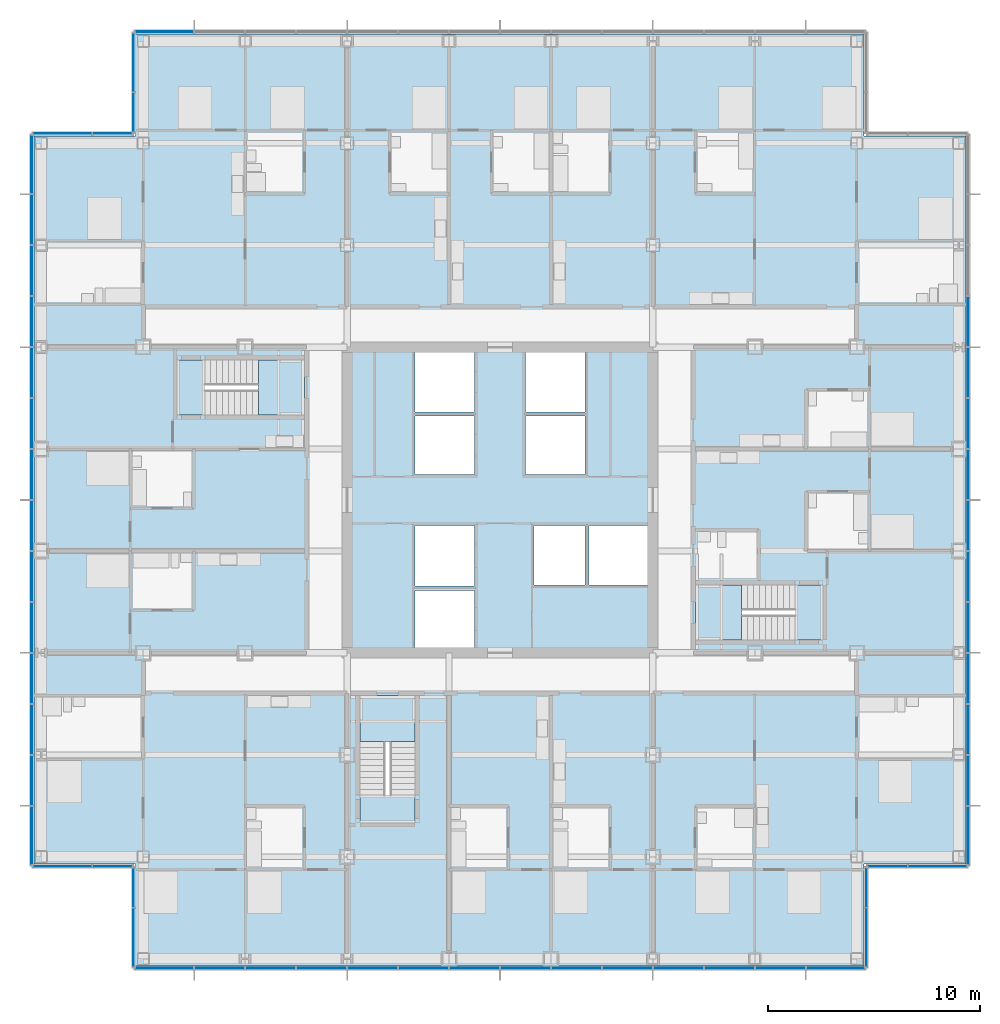
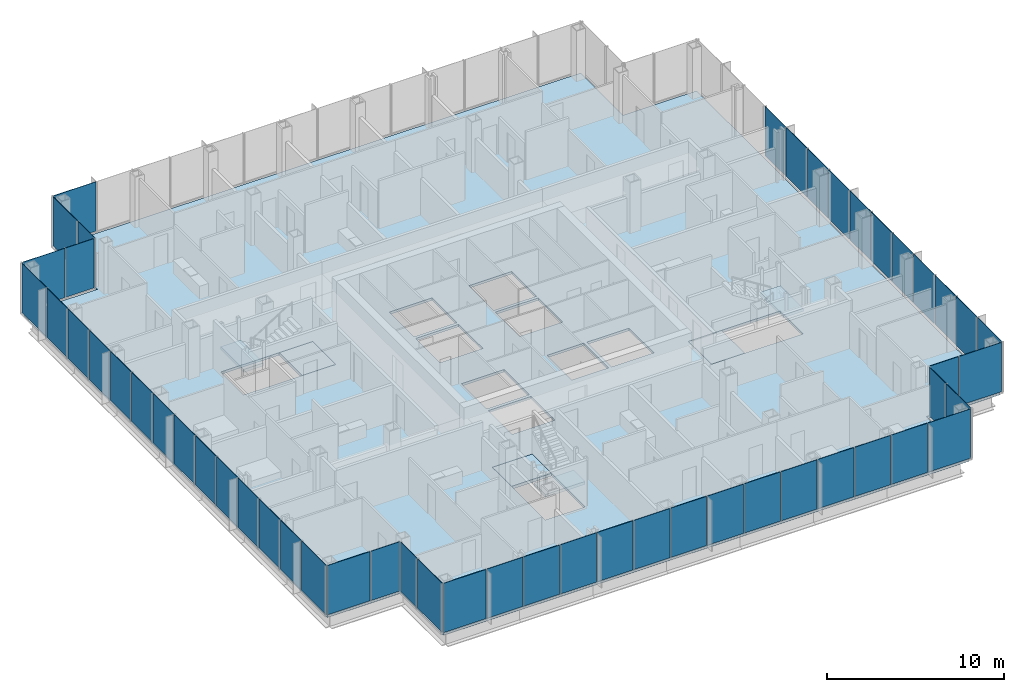
# One storey, part 12 of 21: 52 plates, 7 slabs, 13 elements without a shape of their own.
"""IFC4 building model written with IfcOpenShell, lengths in metres."""

from ifc_helpers import new_model, si_unit, direction, frame, origin, origin_2d, place, context, subcontext, project, spatial, polyline, rectangle, outline, extrude, material, layer, layer_set, type_object, element, aggregate, save


model = new_model("IFC4")

# Units and contexts
model_context = context("Model", 3, precision=1e-05, world=origin(), true_north=direction((0.0, 1.0)))
body_context = subcontext(model_context, "Body", "Model", "MODEL_VIEW")
ifc_project = project(units=[si_unit("LENGTHUNIT", "METRE"), si_unit("AREAUNIT", "SQUARE_METRE"), si_unit("VOLUMEUNIT", "CUBIC_METRE"), si_unit("PLANEANGLEUNIT", "RADIAN"), si_unit("MASSUNIT", "GRAM", prefix="KILO")], contexts=[model_context])

# Site, building, storey
site_placement = place(None, origin())
site = spatial("IfcSite", under=ifc_project, at=site_placement, CompositionType="ELEMENT")
building_placement = place(site_placement, origin())
building = spatial("IfcBuilding", under=site, at=building_placement, Name="Kvirike Care Tower", CompositionType="ELEMENT")
storey_placement = place(building_placement, frame((0.0, 0.0, 48.0)))
storey = spatial("IfcBuildingStorey", under=building, at=storey_placement, Name="L12", CompositionType="ELEMENT", Elevation=48.0)

# Slab
ifc_material_1 = material(Name="Concrete C35/45", Category="concrete")
ifc_layer_1 = layer(ifc_material_1, 0.169921875)
ifc_layer_set_1 = layer_set([ifc_layer_1], Name="FLOOR SLAB 170")
slab_type_1 = type_object("IfcSlabType", Name="FLOOR SLAB 170", PredefinedType="FLOOR", material=ifc_layer_set_1)
slab_1_placement = place(storey_placement, frame((0.0, 0.0, -0.169921875)))
element("IfcSlab", 1, at=slab_1_placement, inside=storey, type_object=slab_type_1, Name="Floor slab L12", PredefinedType="FLOOR", context=body_context, shape_type="SweptSolid", body=[
    extrude(outline(polyline([(-0.35009765625, 53.14990234375), (-0.35009765625, 18.85009765625), (4.449951171875, 18.85009765625), (4.449951171875, 14.050048828125), (38.75, 14.050048828125), (38.75, 18.85009765625), (43.550048828125, 18.85009765625), (43.550048828125, 53.14990234375), (38.75, 53.14990234375), (38.75, 57.949951171875), (4.449951171875, 57.949951171875), (4.449951171875, 53.14990234375), (-0.35009765625, 53.14990234375)]), holes=[polyline([(17.60009765625, 29.050048828125), (17.60009765625, 31.75), (20.39990234375, 31.75), (20.39990234375, 29.050048828125), (17.60009765625, 29.050048828125)]), polyline([(17.60009765625, 31.949951171875), (17.60009765625, 34.800048828125), (20.39990234375, 34.800048828125), (20.39990234375, 31.949951171875), (17.60009765625, 31.949951171875)]), polyline([(17.60009765625, 37.199951171875), (17.60009765625, 39.949951171875), (20.39990234375, 39.949951171875), (20.39990234375, 37.199951171875), (17.60009765625, 37.199951171875)]), polyline([(17.60009765625, 40.14990234375), (17.60009765625, 42.949951171875), (20.39990234375, 42.949951171875), (20.39990234375, 40.14990234375), (17.60009765625, 40.14990234375)]), polyline([(22.800048828125, 37.199951171875), (22.800048828125, 39.949951171875), (25.60009765625, 39.949951171875), (25.60009765625, 37.199951171875), (22.800048828125, 37.199951171875)]), polyline([(22.800048828125, 40.14990234375), (22.800048828125, 42.949951171875), (25.60009765625, 42.949951171875), (25.60009765625, 40.14990234375), (22.800048828125, 40.14990234375)]), polyline([(23.199951171875, 32.0), (23.199951171875, 34.800048828125), (25.60009765625, 34.800048828125), (25.60009765625, 32.0), (23.199951171875, 32.0)]), polyline([(25.800048828125, 32.0), (25.800048828125, 34.800048828125), (28.550048828125, 34.800048828125), (28.550048828125, 32.0), (25.800048828125, 32.0)]), polyline([(12.39990234375, 42.60009765625), (12.39990234375, 40.0), (6.39990234375, 40.0), (6.39990234375, 42.60009765625), (12.39990234375, 42.60009765625)]), polyline([(30.800048828125, 29.39990234375), (30.800048828125, 32.0), (36.800048828125, 32.0), (36.800048828125, 29.39990234375), (30.800048828125, 29.39990234375)]), polyline([(15.0, 26.800048828125), (17.60009765625, 26.800048828125), (17.60009765625, 20.800048828125), (15.0, 20.800048828125), (15.0, 26.800048828125)])]), origin(), (0.0, 0.0, 1.0), 0.169921875),
])

# Stair, slabs
ifc_material_2 = material(Name="Concrete C35/45", Category="concrete")
stair_type = type_object("IfcStairType", Name="STAIR 20 RISERS", PredefinedType="HALF_TURN_STAIR", material=ifc_material_2)
stair_1_placement = place(storey_placement, origin())
stair_1 = element("IfcStair", 2, at=stair_1_placement, inside=storey, type_object=stair_type, Name="Stair 1 L12", PredefinedType="HALF_TURN_STAIR")
ifc_material_3 = material(Name="Concrete C35/45", Category="concrete")
ifc_layer_2 = layer(ifc_material_3, 0.199951171875)
ifc_layer_set_2 = layer_set([ifc_layer_2], Name="STAIR LANDING 200")
slab_type_2 = type_object("IfcSlabType", Name="STAIR LANDING 200", PredefinedType="LANDING", material=ifc_layer_set_2)
slab_2_placement = place(storey_placement, frame((0.0, 0.0, -0.199951171875)))
slab_2 = element("IfcSlab", 3, at=slab_2_placement, type_object=slab_type_2, Name="Stair S1 floor landing L12", PredefinedType="LANDING", context=body_context, shape_type="SweptSolid", body=[
    extrude(outline(polyline([(10.219970703125, 42.60009765625), (10.219970703125, 40.0), (12.39990234375, 40.0), (12.39990234375, 42.60009765625), (10.219970703125, 42.60009765625)])), origin(), (0.0, 0.0, 1.0), 0.199951171875),
])
slab_3_placement = place(storey_placement, frame((0.0, 0.0, 1.550048828125)))
slab_3 = element("IfcSlab", 4, at=slab_3_placement, type_object=slab_type_2, Name="Stair S1 half landing L12-L13", PredefinedType="LANDING", context=body_context, shape_type="SweptSolid", body=[
    extrude(outline(polyline([(6.39990234375, 42.60009765625), (6.39990234375, 40.0), (7.699951171875, 40.0), (7.699951171875, 42.60009765625), (6.39990234375, 42.60009765625)])), origin(), (0.0, 0.0, 1.0), 0.199951171875),
])
aggregate(stair_1, [slab_2, slab_3])

stair_2_placement = place(storey_placement, origin())
stair_2 = element("IfcStair", 5, at=stair_2_placement, inside=storey, type_object=stair_type, Name="Stair 2 L12", PredefinedType="HALF_TURN_STAIR")
slab_4_placement = place(storey_placement, frame((0.0, 0.0, -0.199951171875)))
slab_4 = element("IfcSlab", 6, at=slab_4_placement, type_object=slab_type_2, Name="Stair S2 floor landing L12", PredefinedType="LANDING", context=body_context, shape_type="SweptSolid", body=[
    extrude(outline(polyline([(32.97998046875, 29.39990234375), (32.97998046875, 32.0), (30.800048828125, 32.0), (30.800048828125, 29.39990234375), (32.97998046875, 29.39990234375)])), origin(), (0.0, 0.0, 1.0), 0.199951171875),
])
slab_5_placement = place(storey_placement, frame((0.0, 0.0, 1.550048828125)))
slab_5 = element("IfcSlab", 7, at=slab_5_placement, type_object=slab_type_2, Name="Stair S2 half landing L12-L13", PredefinedType="LANDING", context=body_context, shape_type="SweptSolid", body=[
    extrude(outline(polyline([(36.800048828125, 29.39990234375), (36.800048828125, 32.0), (35.5, 32.0), (35.5, 29.39990234375), (36.800048828125, 29.39990234375)])), origin(), (0.0, 0.0, 1.0), 0.199951171875),
])
aggregate(stair_2, [slab_4, slab_5])

stair_3_placement = place(storey_placement, origin())
stair_3 = element("IfcStair", 8, at=stair_3_placement, inside=storey, type_object=stair_type, Name="Stair 5 L12", PredefinedType="HALF_TURN_STAIR")
slab_6_placement = place(storey_placement, frame((0.0, 0.0, -0.199951171875)))
slab_6 = element("IfcSlab", 9, at=slab_6_placement, type_object=slab_type_2, Name="Stair S5 floor landing L12", PredefinedType="LANDING", context=body_context, shape_type="SweptSolid", body=[
    extrude(outline(polyline([(15.0, 24.6201171875), (17.60009765625, 24.6201171875), (17.60009765625, 26.800048828125), (15.0, 26.800048828125), (15.0, 24.6201171875)])), origin(), (0.0, 0.0, 1.0), 0.199951171875),
])
slab_7_placement = place(storey_placement, frame((0.0, 0.0, 1.550048828125)))
slab_7 = element("IfcSlab", 10, at=slab_7_placement, type_object=slab_type_2, Name="Stair S5 half landing L12-L13", PredefinedType="LANDING", context=body_context, shape_type="SweptSolid", body=[
    extrude(outline(polyline([(15.0, 20.800048828125), (17.60009765625, 20.800048828125), (17.60009765625, 22.10009765625), (15.0, 22.10009765625), (15.0, 20.800048828125)])), origin(), (0.0, 0.0, 1.0), 0.199951171875),
])
aggregate(stair_3, [slab_6, slab_7])

# Curtain wall, plates
ifc_material_4 = material(Name="Anodised aluminium stick system", Category="aluminium")
curtain_wall_type = type_object("IfcCurtainWallType", Name="CW-A STICK CURTAIN WALL", PredefinedType="NOTDEFINED", material=ifc_material_4)
curtain_wall_1_placement = place(storey_placement, origin())
curtain_wall_1 = element("IfcCurtainWall", 11, at=curtain_wall_1_placement, inside=storey, type_object=curtain_wall_type, Name="Curtain wall L12 face 1", PredefinedType="NOTDEFINED")
ifc_material_5 = material(Name="Tinted double glazed unit", Category="glass")
ifc_layer_3 = layer(ifc_material_5, 0.031982421875)
ifc_layer_set_3 = layer_set([ifc_layer_3], Name="TINTED VISION PANEL 32")
plate_type = type_object("IfcPlateType", Name="TINTED VISION PANEL 32", PredefinedType="CURTAIN_PANEL", material=ifc_layer_set_3)
plate_1_placement = place(storey_placement, frame((-0.449951171875, 51.808837890625, 0.10009765625), z_axis=(0.0, 0.0, 1.0), x_axis=(0.0, -1.0, 0.0)))
plate_1 = element("IfcPlate", 12, at=plate_1_placement, type_object=plate_type, Name="CW-A panel L12 face 1.1", PredefinedType="CURTAIN_PANEL", context=body_context, shape_type="SweptSolid", body=[
    extrude(rectangle(XDim=2.75244140625, YDim=0.031982421875, at=origin_2d()), origin(), (0.0, 0.0, 1.0), 3.39990234375),
])
plate_2_placement = place(storey_placement, frame((-0.449951171875, 49.199951171875, 0.10009765625), z_axis=(0.0, 0.0, 1.0), x_axis=(0.0, -1.0, 0.0)))
plate_2 = element("IfcPlate", 13, at=plate_2_placement, type_object=plate_type, Name="CW-A panel L12 face 1.2", PredefinedType="CURTAIN_PANEL", context=body_context, shape_type="SweptSolid", body=[
    extrude(rectangle(XDim=2.3349609375, YDim=0.031982421875, at=origin_2d()), origin(), (0.0, 0.0, 1.0), 3.39990234375),
])
plate_3_placement = place(storey_placement, frame((-0.449951171875, 46.800048828125, 0.10009765625), z_axis=(0.0, 0.0, 1.0), x_axis=(0.0, -1.0, 0.0)))
plate_3 = element("IfcPlate", 14, at=plate_3_placement, type_object=plate_type, Name="CW-A panel L12 face 1.3", PredefinedType="CURTAIN_PANEL", context=body_context, shape_type="SweptSolid", body=[
    extrude(rectangle(XDim=2.3349609375, YDim=0.031982421875, at=origin_2d()), origin(), (0.0, 0.0, 1.0), 3.39990234375),
])
plate_4_placement = place(storey_placement, frame((-0.449951171875, 44.39990234375, 0.10009765625), z_axis=(0.0, 0.0, 1.0), x_axis=(0.0, -1.0, 0.0)))
plate_4 = element("IfcPlate", 15, at=plate_4_placement, type_object=plate_type, Name="CW-A panel L12 face 1.4", PredefinedType="CURTAIN_PANEL", context=body_context, shape_type="SweptSolid", body=[
    extrude(rectangle(XDim=2.3349609375, YDim=0.031982421875, at=origin_2d()), origin(), (0.0, 0.0, 1.0), 3.39990234375),
])
plate_5_placement = place(storey_placement, frame((-0.449951171875, 42.0, 0.10009765625), z_axis=(0.0, 0.0, 1.0), x_axis=(0.0, -1.0, 0.0)))
plate_5 = element("IfcPlate", 16, at=plate_5_placement, type_object=plate_type, Name="CW-A panel L12 face 1.5", PredefinedType="CURTAIN_PANEL", context=body_context, shape_type="SweptSolid", body=[
    extrude(rectangle(XDim=2.3349609375, YDim=0.031982421875, at=origin_2d()), origin(), (0.0, 0.0, 1.0), 3.39990234375),
])
plate_6_placement = place(storey_placement, frame((-0.449951171875, 39.60009765625, 0.10009765625), z_axis=(0.0, 0.0, 1.0), x_axis=(0.0, -1.0, 0.0)))
plate_6 = element("IfcPlate", 17, at=plate_6_placement, type_object=plate_type, Name="CW-A panel L12 face 1.6", PredefinedType="CURTAIN_PANEL", context=body_context, shape_type="SweptSolid", body=[
    extrude(rectangle(XDim=2.3349609375, YDim=0.031982421875, at=origin_2d()), origin(), (0.0, 0.0, 1.0), 3.39990234375),
])
plate_7_placement = place(storey_placement, frame((-0.449951171875, 37.199951171875, 0.10009765625), z_axis=(0.0, 0.0, 1.0), x_axis=(0.0, -1.0, 0.0)))
plate_7 = element("IfcPlate", 18, at=plate_7_placement, type_object=plate_type, Name="CW-A panel L12 face 1.7", PredefinedType="CURTAIN_PANEL", context=body_context, shape_type="SweptSolid", body=[
    extrude(rectangle(XDim=2.3349609375, YDim=0.031982421875, at=origin_2d()), origin(), (0.0, 0.0, 1.0), 3.39990234375),
])
plate_8_placement = place(storey_placement, frame((-0.449951171875, 34.800048828125, 0.10009765625), z_axis=(0.0, 0.0, 1.0), x_axis=(0.0, -1.0, 0.0)))
plate_8 = element("IfcPlate", 19, at=plate_8_placement, type_object=plate_type, Name="CW-A panel L12 face 1.8", PredefinedType="CURTAIN_PANEL", context=body_context, shape_type="SweptSolid", body=[
    extrude(rectangle(XDim=2.3349609375, YDim=0.031982421875, at=origin_2d()), origin(), (0.0, 0.0, 1.0), 3.39990234375),
])
plate_9_placement = place(storey_placement, frame((-0.449951171875, 32.39990234375, 0.10009765625), z_axis=(0.0, 0.0, 1.0), x_axis=(0.0, -1.0, 0.0)))
plate_9 = element("IfcPlate", 20, at=plate_9_placement, type_object=plate_type, Name="CW-A panel L12 face 1.9", PredefinedType="CURTAIN_PANEL", context=body_context, shape_type="SweptSolid", body=[
    extrude(rectangle(XDim=2.3349609375, YDim=0.031982421875, at=origin_2d()), origin(), (0.0, 0.0, 1.0), 3.39990234375),
])
plate_10_placement = place(storey_placement, frame((-0.449951171875, 30.0, 0.10009765625), z_axis=(0.0, 0.0, 1.0), x_axis=(0.0, -1.0, 0.0)))
plate_10 = element("IfcPlate", 21, at=plate_10_placement, type_object=plate_type, Name="CW-A panel L12 face 1.10", PredefinedType="CURTAIN_PANEL", context=body_context, shape_type="SweptSolid", body=[
    extrude(rectangle(XDim=2.3349609375, YDim=0.031982421875, at=origin_2d()), origin(), (0.0, 0.0, 1.0), 3.39990234375),
])
plate_11_placement = place(storey_placement, frame((-0.449951171875, 27.60009765625, 0.10009765625), z_axis=(0.0, 0.0, 1.0), x_axis=(0.0, -1.0, 0.0)))
plate_11 = element("IfcPlate", 22, at=plate_11_placement, type_object=plate_type, Name="CW-A panel L12 face 1.11", PredefinedType="CURTAIN_PANEL", context=body_context, shape_type="SweptSolid", body=[
    extrude(rectangle(XDim=2.3349609375, YDim=0.031982421875, at=origin_2d()), origin(), (0.0, 0.0, 1.0), 3.39990234375),
])
plate_12_placement = place(storey_placement, frame((-0.449951171875, 25.199951171875, 0.10009765625), z_axis=(0.0, 0.0, 1.0), x_axis=(0.0, -1.0, 0.0)))
plate_12 = element("IfcPlate", 23, at=plate_12_placement, type_object=plate_type, Name="CW-A panel L12 face 1.12", PredefinedType="CURTAIN_PANEL", context=body_context, shape_type="SweptSolid", body=[
    extrude(rectangle(XDim=2.3349609375, YDim=0.031982421875, at=origin_2d()), origin(), (0.0, 0.0, 1.0), 3.39990234375),
])
plate_13_placement = place(storey_placement, frame((-0.449951171875, 22.800048828125, 0.10009765625), z_axis=(0.0, 0.0, 1.0), x_axis=(0.0, -1.0, 0.0)))
plate_13 = element("IfcPlate", 24, at=plate_13_placement, type_object=plate_type, Name="CW-A panel L12 face 1.13", PredefinedType="CURTAIN_PANEL", context=body_context, shape_type="SweptSolid", body=[
    extrude(rectangle(XDim=2.3349609375, YDim=0.031982421875, at=origin_2d()), origin(), (0.0, 0.0, 1.0), 3.39990234375),
])
plate_14_placement = place(storey_placement, frame((-0.449951171875, 20.191162109375, 0.10009765625), z_axis=(0.0, 0.0, 1.0), x_axis=(0.0, -1.0, 0.0)))
plate_14 = element("IfcPlate", 25, at=plate_14_placement, type_object=plate_type, Name="CW-A panel L12 face 1.14", PredefinedType="CURTAIN_PANEL", context=body_context, shape_type="SweptSolid", body=[
    extrude(rectangle(XDim=2.75244140625, YDim=0.031982421875, at=origin_2d()), origin(), (0.0, 0.0, 1.0), 3.39990234375),
])
aggregate(curtain_wall_1, [plate_1, plate_2, plate_3, plate_4, plate_5, plate_6, plate_7, plate_8, plate_9, plate_10, plate_11, plate_12, plate_13, plate_14])

curtain_wall_2_placement = place(storey_placement, origin())
curtain_wall_2 = element("IfcCurtainWall", 26, at=curtain_wall_2_placement, inside=storey, type_object=curtain_wall_type, Name="Curtain wall L12 face 2", PredefinedType="NOTDEFINED")
plate_15_placement = place(storey_placement, frame((0.9912109375, 18.75, 0.10009765625), z_axis=(0.0, 0.0, 1.0), x_axis=(1.0, 0.0, 0.0)))
plate_15 = element("IfcPlate", 27, at=plate_15_placement, type_object=plate_type, Name="CW-A panel L12 face 2.1", PredefinedType="CURTAIN_PANEL", context=body_context, shape_type="SweptSolid", body=[
    extrude(rectangle(XDim=2.75244140625, YDim=0.031982421875, at=origin_2d()), origin(), (0.0, 0.0, 1.0), 3.39990234375),
])
plate_16_placement = place(storey_placement, frame((3.358642578125, 18.75, 0.10009765625), z_axis=(0.0, 0.0, 1.0), x_axis=(1.0, 0.0, 0.0)))
plate_16 = element("IfcPlate", 28, at=plate_16_placement, type_object=plate_type, Name="CW-A panel L12 face 2.2", PredefinedType="CURTAIN_PANEL", context=body_context, shape_type="SweptSolid", body=[
    extrude(rectangle(XDim=1.8525390625, YDim=0.031982421875, at=origin_2d()), origin(), (0.0, 0.0, 1.0), 3.39990234375),
])
aggregate(curtain_wall_2, [plate_15, plate_16])

curtain_wall_3_placement = place(storey_placement, origin())
curtain_wall_3 = element("IfcCurtainWall", 29, at=curtain_wall_3_placement, inside=storey, type_object=curtain_wall_type, Name="Curtain wall L12 face 3", PredefinedType="NOTDEFINED")
plate_17_placement = place(storey_placement, frame((4.35009765625, 17.7587890625, 0.10009765625), z_axis=(0.0, 0.0, 1.0), x_axis=(0.0, -1.0, 0.0)))
plate_17 = element("IfcPlate", 30, at=plate_17_placement, type_object=plate_type, Name="CW-A panel L12 face 3.1", PredefinedType="CURTAIN_PANEL", context=body_context, shape_type="SweptSolid", body=[
    extrude(rectangle(XDim=1.8525390625, YDim=0.031982421875, at=origin_2d()), origin(), (0.0, 0.0, 1.0), 3.39990234375),
])
plate_18_placement = place(storey_placement, frame((4.35009765625, 15.391357421875, 0.10009765625), z_axis=(0.0, 0.0, 1.0), x_axis=(0.0, -1.0, 0.0)))
plate_18 = element("IfcPlate", 31, at=plate_18_placement, type_object=plate_type, Name="CW-A panel L12 face 3.2", PredefinedType="CURTAIN_PANEL", context=body_context, shape_type="SweptSolid", body=[
    extrude(rectangle(XDim=2.75244140625, YDim=0.031982421875, at=origin_2d()), origin(), (0.0, 0.0, 1.0), 3.39990234375),
])
aggregate(curtain_wall_3, [plate_17, plate_18])

curtain_wall_4_placement = place(storey_placement, origin())
curtain_wall_4 = element("IfcCurtainWall", 32, at=curtain_wall_4_placement, inside=storey, type_object=curtain_wall_type, Name="Curtain wall L12 face 4", PredefinedType="NOTDEFINED")
plate_19_placement = place(storey_placement, frame((5.791259765625, 13.949951171875, 0.10009765625), z_axis=(0.0, 0.0, 1.0), x_axis=(1.0, 0.0, 0.0)))
plate_19 = element("IfcPlate", 33, at=plate_19_placement, type_object=plate_type, Name="CW-A panel L12 face 4.1", PredefinedType="CURTAIN_PANEL", context=body_context, shape_type="SweptSolid", body=[
    extrude(rectangle(XDim=2.75244140625, YDim=0.031982421875, at=origin_2d()), origin(), (0.0, 0.0, 1.0), 3.39990234375),
])
plate_20_placement = place(storey_placement, frame((8.39990234375, 13.949951171875, 0.10009765625), z_axis=(0.0, 0.0, 1.0), x_axis=(1.0, 0.0, 0.0)))
plate_20 = element("IfcPlate", 34, at=plate_20_placement, type_object=plate_type, Name="CW-A panel L12 face 4.2", PredefinedType="CURTAIN_PANEL", context=body_context, shape_type="SweptSolid", body=[
    extrude(rectangle(XDim=2.3349609375, YDim=0.031982421875, at=origin_2d()), origin(), (0.0, 0.0, 1.0), 3.39990234375),
])
plate_21_placement = place(storey_placement, frame((10.800048828125, 13.949951171875, 0.10009765625), z_axis=(0.0, 0.0, 1.0), x_axis=(1.0, 0.0, 0.0)))
plate_21 = element("IfcPlate", 35, at=plate_21_placement, type_object=plate_type, Name="CW-A panel L12 face 4.3", PredefinedType="CURTAIN_PANEL", context=body_context, shape_type="SweptSolid", body=[
    extrude(rectangle(XDim=2.3349609375, YDim=0.031982421875, at=origin_2d()), origin(), (0.0, 0.0, 1.0), 3.39990234375),
])
plate_22_placement = place(storey_placement, frame((13.199951171875, 13.949951171875, 0.10009765625), z_axis=(0.0, 0.0, 1.0), x_axis=(1.0, 0.0, 0.0)))
plate_22 = element("IfcPlate", 36, at=plate_22_placement, type_object=plate_type, Name="CW-A panel L12 face 4.4", PredefinedType="CURTAIN_PANEL", context=body_context, shape_type="SweptSolid", body=[
    extrude(rectangle(XDim=2.3349609375, YDim=0.031982421875, at=origin_2d()), origin(), (0.0, 0.0, 1.0), 3.39990234375),
])
plate_23_placement = place(storey_placement, frame((15.60009765625, 13.949951171875, 0.10009765625), z_axis=(0.0, 0.0, 1.0), x_axis=(1.0, 0.0, 0.0)))
plate_23 = element("IfcPlate", 37, at=plate_23_placement, type_object=plate_type, Name="CW-A panel L12 face 4.5", PredefinedType="CURTAIN_PANEL", context=body_context, shape_type="SweptSolid", body=[
    extrude(rectangle(XDim=2.3349609375, YDim=0.031982421875, at=origin_2d()), origin(), (0.0, 0.0, 1.0), 3.39990234375),
])
plate_24_placement = place(storey_placement, frame((18.0, 13.949951171875, 0.10009765625), z_axis=(0.0, 0.0, 1.0), x_axis=(1.0, 0.0, 0.0)))
plate_24 = element("IfcPlate", 38, at=plate_24_placement, type_object=plate_type, Name="CW-A panel L12 face 4.6", PredefinedType="CURTAIN_PANEL", context=body_context, shape_type="SweptSolid", body=[
    extrude(rectangle(XDim=2.3349609375, YDim=0.031982421875, at=origin_2d()), origin(), (0.0, 0.0, 1.0), 3.39990234375),
])
plate_25_placement = place(storey_placement, frame((20.39990234375, 13.949951171875, 0.10009765625), z_axis=(0.0, 0.0, 1.0), x_axis=(1.0, 0.0, 0.0)))
plate_25 = element("IfcPlate", 39, at=plate_25_placement, type_object=plate_type, Name="CW-A panel L12 face 4.7", PredefinedType="CURTAIN_PANEL", context=body_context, shape_type="SweptSolid", body=[
    extrude(rectangle(XDim=2.3349609375, YDim=0.031982421875, at=origin_2d()), origin(), (0.0, 0.0, 1.0), 3.39990234375),
])
plate_26_placement = place(storey_placement, frame((22.800048828125, 13.949951171875, 0.10009765625), z_axis=(0.0, 0.0, 1.0), x_axis=(1.0, 0.0, 0.0)))
plate_26 = element("IfcPlate", 40, at=plate_26_placement, type_object=plate_type, Name="CW-A panel L12 face 4.8", PredefinedType="CURTAIN_PANEL", context=body_context, shape_type="SweptSolid", body=[
    extrude(rectangle(XDim=2.3349609375, YDim=0.031982421875, at=origin_2d()), origin(), (0.0, 0.0, 1.0), 3.39990234375),
])
plate_27_placement = place(storey_placement, frame((25.199951171875, 13.949951171875, 0.10009765625), z_axis=(0.0, 0.0, 1.0), x_axis=(1.0, 0.0, 0.0)))
plate_27 = element("IfcPlate", 41, at=plate_27_placement, type_object=plate_type, Name="CW-A panel L12 face 4.9", PredefinedType="CURTAIN_PANEL", context=body_context, shape_type="SweptSolid", body=[
    extrude(rectangle(XDim=2.3349609375, YDim=0.031982421875, at=origin_2d()), origin(), (0.0, 0.0, 1.0), 3.39990234375),
])
plate_28_placement = place(storey_placement, frame((27.60009765625, 13.949951171875, 0.10009765625), z_axis=(0.0, 0.0, 1.0), x_axis=(1.0, 0.0, 0.0)))
plate_28 = element("IfcPlate", 42, at=plate_28_placement, type_object=plate_type, Name="CW-A panel L12 face 4.10", PredefinedType="CURTAIN_PANEL", context=body_context, shape_type="SweptSolid", body=[
    extrude(rectangle(XDim=2.3349609375, YDim=0.031982421875, at=origin_2d()), origin(), (0.0, 0.0, 1.0), 3.39990234375),
])
plate_29_placement = place(storey_placement, frame((30.0, 13.949951171875, 0.10009765625), z_axis=(0.0, 0.0, 1.0), x_axis=(1.0, 0.0, 0.0)))
plate_29 = element("IfcPlate", 43, at=plate_29_placement, type_object=plate_type, Name="CW-A panel L12 face 4.11", PredefinedType="CURTAIN_PANEL", context=body_context, shape_type="SweptSolid", body=[
    extrude(rectangle(XDim=2.3349609375, YDim=0.031982421875, at=origin_2d()), origin(), (0.0, 0.0, 1.0), 3.39990234375),
])
plate_30_placement = place(storey_placement, frame((32.39990234375, 13.949951171875, 0.10009765625), z_axis=(0.0, 0.0, 1.0), x_axis=(1.0, 0.0, 0.0)))
plate_30 = element("IfcPlate", 44, at=plate_30_placement, type_object=plate_type, Name="CW-A panel L12 face 4.12", PredefinedType="CURTAIN_PANEL", context=body_context, shape_type="SweptSolid", body=[
    extrude(rectangle(XDim=2.3349609375, YDim=0.031982421875, at=origin_2d()), origin(), (0.0, 0.0, 1.0), 3.39990234375),
])
plate_31_placement = place(storey_placement, frame((34.800048828125, 13.949951171875, 0.10009765625), z_axis=(0.0, 0.0, 1.0), x_axis=(1.0, 0.0, 0.0)))
plate_31 = element("IfcPlate", 45, at=plate_31_placement, type_object=plate_type, Name="CW-A panel L12 face 4.13", PredefinedType="CURTAIN_PANEL", context=body_context, shape_type="SweptSolid", body=[
    extrude(rectangle(XDim=2.3349609375, YDim=0.031982421875, at=origin_2d()), origin(), (0.0, 0.0, 1.0), 3.39990234375),
])
plate_32_placement = place(storey_placement, frame((37.40869140625, 13.949951171875, 0.10009765625), z_axis=(0.0, 0.0, 1.0), x_axis=(1.0, 0.0, 0.0)))
plate_32 = element("IfcPlate", 46, at=plate_32_placement, type_object=plate_type, Name="CW-A panel L12 face 4.14", PredefinedType="CURTAIN_PANEL", context=body_context, shape_type="SweptSolid", body=[
    extrude(rectangle(XDim=2.75244140625, YDim=0.031982421875, at=origin_2d()), origin(), (0.0, 0.0, 1.0), 3.39990234375),
])
aggregate(curtain_wall_4, [plate_19, plate_20, plate_21, plate_22, plate_23, plate_24, plate_25, plate_26, plate_27, plate_28, plate_29, plate_30, plate_31, plate_32])

curtain_wall_5_placement = place(storey_placement, origin())
curtain_wall_5 = element("IfcCurtainWall", 47, at=curtain_wall_5_placement, inside=storey, type_object=curtain_wall_type, Name="Curtain wall L12 face 5", PredefinedType="NOTDEFINED")
plate_33_placement = place(storey_placement, frame((38.85009765625, 15.391357421875, 0.10009765625), z_axis=(0.0, 0.0, 1.0), x_axis=(0.0, 1.0, 0.0)))
plate_33 = element("IfcPlate", 48, at=plate_33_placement, type_object=plate_type, Name="CW-A panel L12 face 5.1", PredefinedType="CURTAIN_PANEL", context=body_context, shape_type="SweptSolid", body=[
    extrude(rectangle(XDim=2.75244140625, YDim=0.031982421875, at=origin_2d()), origin(), (0.0, 0.0, 1.0), 3.39990234375),
])
plate_34_placement = place(storey_placement, frame((38.85009765625, 17.7587890625, 0.10009765625), z_axis=(0.0, 0.0, 1.0), x_axis=(0.0, 1.0, 0.0)))
plate_34 = element("IfcPlate", 49, at=plate_34_placement, type_object=plate_type, Name="CW-A panel L12 face 5.2", PredefinedType="CURTAIN_PANEL", context=body_context, shape_type="SweptSolid", body=[
    extrude(rectangle(XDim=1.8525390625, YDim=0.031982421875, at=origin_2d()), origin(), (0.0, 0.0, 1.0), 3.39990234375),
])
aggregate(curtain_wall_5, [plate_33, plate_34])

curtain_wall_6_placement = place(storey_placement, origin())
curtain_wall_6 = element("IfcCurtainWall", 50, at=curtain_wall_6_placement, inside=storey, type_object=curtain_wall_type, Name="Curtain wall L12 face 6", PredefinedType="NOTDEFINED")
plate_35_placement = place(storey_placement, frame((39.84130859375, 18.75, 0.10009765625), z_axis=(0.0, 0.0, 1.0), x_axis=(1.0, 0.0, 0.0)))
plate_35 = element("IfcPlate", 51, at=plate_35_placement, type_object=plate_type, Name="CW-A panel L12 face 6.1", PredefinedType="CURTAIN_PANEL", context=body_context, shape_type="SweptSolid", body=[
    extrude(rectangle(XDim=1.8525390625, YDim=0.031982421875, at=origin_2d()), origin(), (0.0, 0.0, 1.0), 3.39990234375),
])
plate_36_placement = place(storey_placement, frame((42.208740234375, 18.75, 0.10009765625), z_axis=(0.0, 0.0, 1.0), x_axis=(1.0, 0.0, 0.0)))
plate_36 = element("IfcPlate", 52, at=plate_36_placement, type_object=plate_type, Name="CW-A panel L12 face 6.2", PredefinedType="CURTAIN_PANEL", context=body_context, shape_type="SweptSolid", body=[
    extrude(rectangle(XDim=2.75244140625, YDim=0.031982421875, at=origin_2d()), origin(), (0.0, 0.0, 1.0), 3.39990234375),
])
aggregate(curtain_wall_6, [plate_35, plate_36])

curtain_wall_7_placement = place(storey_placement, origin())
curtain_wall_7 = element("IfcCurtainWall", 53, at=curtain_wall_7_placement, inside=storey, type_object=curtain_wall_type, Name="Curtain wall L12 face 7", PredefinedType="NOTDEFINED")
plate_37_placement = place(storey_placement, frame((43.64990234375, 20.191162109375, 0.10009765625), z_axis=(0.0, 0.0, 1.0), x_axis=(0.0, 1.0, 0.0)))
plate_37 = element("IfcPlate", 54, at=plate_37_placement, type_object=plate_type, Name="CW-A panel L12 face 7.1", PredefinedType="CURTAIN_PANEL", context=body_context, shape_type="SweptSolid", body=[
    extrude(rectangle(XDim=2.75244140625, YDim=0.031982421875, at=origin_2d()), origin(), (0.0, 0.0, 1.0), 3.39990234375),
])
plate_38_placement = place(storey_placement, frame((43.64990234375, 22.800048828125, 0.10009765625), z_axis=(0.0, 0.0, 1.0), x_axis=(0.0, 1.0, 0.0)))
plate_38 = element("IfcPlate", 55, at=plate_38_placement, type_object=plate_type, Name="CW-A panel L12 face 7.2", PredefinedType="CURTAIN_PANEL", context=body_context, shape_type="SweptSolid", body=[
    extrude(rectangle(XDim=2.3349609375, YDim=0.031982421875, at=origin_2d()), origin(), (0.0, 0.0, 1.0), 3.39990234375),
])
plate_39_placement = place(storey_placement, frame((43.64990234375, 25.199951171875, 0.10009765625), z_axis=(0.0, 0.0, 1.0), x_axis=(0.0, 1.0, 0.0)))
plate_39 = element("IfcPlate", 56, at=plate_39_placement, type_object=plate_type, Name="CW-A panel L12 face 7.3", PredefinedType="CURTAIN_PANEL", context=body_context, shape_type="SweptSolid", body=[
    extrude(rectangle(XDim=2.3349609375, YDim=0.031982421875, at=origin_2d()), origin(), (0.0, 0.0, 1.0), 3.39990234375),
])
plate_40_placement = place(storey_placement, frame((43.64990234375, 27.60009765625, 0.10009765625), z_axis=(0.0, 0.0, 1.0), x_axis=(0.0, 1.0, 0.0)))
plate_40 = element("IfcPlate", 57, at=plate_40_placement, type_object=plate_type, Name="CW-A panel L12 face 7.4", PredefinedType="CURTAIN_PANEL", context=body_context, shape_type="SweptSolid", body=[
    extrude(rectangle(XDim=2.3349609375, YDim=0.031982421875, at=origin_2d()), origin(), (0.0, 0.0, 1.0), 3.39990234375),
])
plate_41_placement = place(storey_placement, frame((43.64990234375, 30.0, 0.10009765625), z_axis=(0.0, 0.0, 1.0), x_axis=(0.0, 1.0, 0.0)))
plate_41 = element("IfcPlate", 58, at=plate_41_placement, type_object=plate_type, Name="CW-A panel L12 face 7.5", PredefinedType="CURTAIN_PANEL", context=body_context, shape_type="SweptSolid", body=[
    extrude(rectangle(XDim=2.3349609375, YDim=0.031982421875, at=origin_2d()), origin(), (0.0, 0.0, 1.0), 3.39990234375),
])
plate_42_placement = place(storey_placement, frame((43.64990234375, 32.39990234375, 0.10009765625), z_axis=(0.0, 0.0, 1.0), x_axis=(0.0, 1.0, 0.0)))
plate_42 = element("IfcPlate", 59, at=plate_42_placement, type_object=plate_type, Name="CW-A panel L12 face 7.6", PredefinedType="CURTAIN_PANEL", context=body_context, shape_type="SweptSolid", body=[
    extrude(rectangle(XDim=2.3349609375, YDim=0.031982421875, at=origin_2d()), origin(), (0.0, 0.0, 1.0), 3.39990234375),
])
plate_43_placement = place(storey_placement, frame((43.64990234375, 34.800048828125, 0.10009765625), z_axis=(0.0, 0.0, 1.0), x_axis=(0.0, 1.0, 0.0)))
plate_43 = element("IfcPlate", 60, at=plate_43_placement, type_object=plate_type, Name="CW-A panel L12 face 7.7", PredefinedType="CURTAIN_PANEL", context=body_context, shape_type="SweptSolid", body=[
    extrude(rectangle(XDim=2.3349609375, YDim=0.031982421875, at=origin_2d()), origin(), (0.0, 0.0, 1.0), 3.39990234375),
])
plate_44_placement = place(storey_placement, frame((43.64990234375, 37.199951171875, 0.10009765625), z_axis=(0.0, 0.0, 1.0), x_axis=(0.0, 1.0, 0.0)))
plate_44 = element("IfcPlate", 61, at=plate_44_placement, type_object=plate_type, Name="CW-A panel L12 face 7.8", PredefinedType="CURTAIN_PANEL", context=body_context, shape_type="SweptSolid", body=[
    extrude(rectangle(XDim=2.3349609375, YDim=0.031982421875, at=origin_2d()), origin(), (0.0, 0.0, 1.0), 3.39990234375),
])
plate_45_placement = place(storey_placement, frame((43.64990234375, 39.60009765625, 0.10009765625), z_axis=(0.0, 0.0, 1.0), x_axis=(0.0, 1.0, 0.0)))
plate_45 = element("IfcPlate", 62, at=plate_45_placement, type_object=plate_type, Name="CW-A panel L12 face 7.9", PredefinedType="CURTAIN_PANEL", context=body_context, shape_type="SweptSolid", body=[
    extrude(rectangle(XDim=2.3349609375, YDim=0.031982421875, at=origin_2d()), origin(), (0.0, 0.0, 1.0), 3.39990234375),
])
plate_46_placement = place(storey_placement, frame((43.64990234375, 42.0, 0.10009765625), z_axis=(0.0, 0.0, 1.0), x_axis=(0.0, 1.0, 0.0)))
plate_46 = element("IfcPlate", 63, at=plate_46_placement, type_object=plate_type, Name="CW-A panel L12 face 7.10", PredefinedType="CURTAIN_PANEL", context=body_context, shape_type="SweptSolid", body=[
    extrude(rectangle(XDim=2.3349609375, YDim=0.031982421875, at=origin_2d()), origin(), (0.0, 0.0, 1.0), 3.39990234375),
])
plate_47_placement = place(storey_placement, frame((43.64990234375, 44.39990234375, 0.10009765625), z_axis=(0.0, 0.0, 1.0), x_axis=(0.0, 1.0, 0.0)))
plate_47 = element("IfcPlate", 64, at=plate_47_placement, type_object=plate_type, Name="CW-A panel L12 face 7.11", PredefinedType="CURTAIN_PANEL", context=body_context, shape_type="SweptSolid", body=[
    extrude(rectangle(XDim=2.3349609375, YDim=0.031982421875, at=origin_2d()), origin(), (0.0, 0.0, 1.0), 3.39990234375),
])
aggregate(curtain_wall_7, [plate_37, plate_38, plate_39, plate_40, plate_41, plate_42, plate_43, plate_44, plate_45, plate_46, plate_47])

# Curtain wall, plate
curtain_wall_8_placement = place(storey_placement, origin())
curtain_wall_8 = element("IfcCurtainWall", 65, at=curtain_wall_8_placement, inside=storey, type_object=curtain_wall_type, Name="Curtain wall L12 face 10", PredefinedType="NOTDEFINED")
plate_48_placement = place(storey_placement, frame((5.791259765625, 58.050048828125, 0.10009765625), z_axis=(0.0, 0.0, 1.0), x_axis=(-1.0, 0.0, 0.0)))
plate_48 = element("IfcPlate", 66, at=plate_48_placement, type_object=plate_type, Name="CW-A panel L12 face 10.14", PredefinedType="CURTAIN_PANEL", context=body_context, shape_type="SweptSolid", body=[
    extrude(rectangle(XDim=2.75244140625, YDim=0.031982421875, at=origin_2d()), origin(), (0.0, 0.0, 1.0), 3.39990234375),
])
aggregate(curtain_wall_8, [plate_48])

# Curtain wall, plates
curtain_wall_9_placement = place(storey_placement, origin())
curtain_wall_9 = element("IfcCurtainWall", 67, at=curtain_wall_9_placement, inside=storey, type_object=curtain_wall_type, Name="Curtain wall L12 face 11", PredefinedType="NOTDEFINED")
plate_49_placement = place(storey_placement, frame((4.35009765625, 56.608642578125, 0.10009765625), z_axis=(0.0, 0.0, 1.0), x_axis=(0.0, -1.0, 0.0)))
plate_49 = element("IfcPlate", 68, at=plate_49_placement, type_object=plate_type, Name="CW-A panel L12 face 11.1", PredefinedType="CURTAIN_PANEL", context=body_context, shape_type="SweptSolid", body=[
    extrude(rectangle(XDim=2.75244140625, YDim=0.031982421875, at=origin_2d()), origin(), (0.0, 0.0, 1.0), 3.39990234375),
])
plate_50_placement = place(storey_placement, frame((4.35009765625, 54.2412109375, 0.10009765625), z_axis=(0.0, 0.0, 1.0), x_axis=(0.0, -1.0, 0.0)))
plate_50 = element("IfcPlate", 69, at=plate_50_placement, type_object=plate_type, Name="CW-A panel L12 face 11.2", PredefinedType="CURTAIN_PANEL", context=body_context, shape_type="SweptSolid", body=[
    extrude(rectangle(XDim=1.8525390625, YDim=0.031982421875, at=origin_2d()), origin(), (0.0, 0.0, 1.0), 3.39990234375),
])
aggregate(curtain_wall_9, [plate_49, plate_50])

curtain_wall_10_placement = place(storey_placement, origin())
curtain_wall_10 = element("IfcCurtainWall", 70, at=curtain_wall_10_placement, inside=storey, type_object=curtain_wall_type, Name="Curtain wall L12 face 12", PredefinedType="NOTDEFINED")
plate_51_placement = place(storey_placement, frame((3.358642578125, 53.25, 0.10009765625), z_axis=(0.0, 0.0, 1.0), x_axis=(-1.0, 0.0, 0.0)))
plate_51 = element("IfcPlate", 71, at=plate_51_placement, type_object=plate_type, Name="CW-A panel L12 face 12.1", PredefinedType="CURTAIN_PANEL", context=body_context, shape_type="SweptSolid", body=[
    extrude(rectangle(XDim=1.8525390625, YDim=0.031982421875, at=origin_2d()), origin(), (0.0, 0.0, 1.0), 3.39990234375),
])
plate_52_placement = place(storey_placement, frame((0.9912109375, 53.25, 0.10009765625), z_axis=(0.0, 0.0, 1.0), x_axis=(-1.0, 0.0, 0.0)))
plate_52 = element("IfcPlate", 72, at=plate_52_placement, type_object=plate_type, Name="CW-A panel L12 face 12.2", PredefinedType="CURTAIN_PANEL", context=body_context, shape_type="SweptSolid", body=[
    extrude(rectangle(XDim=2.75244140625, YDim=0.031982421875, at=origin_2d()), origin(), (0.0, 0.0, 1.0), 3.39990234375),
])
aggregate(curtain_wall_10, [plate_51, plate_52])

save(model, "model.ifc")
